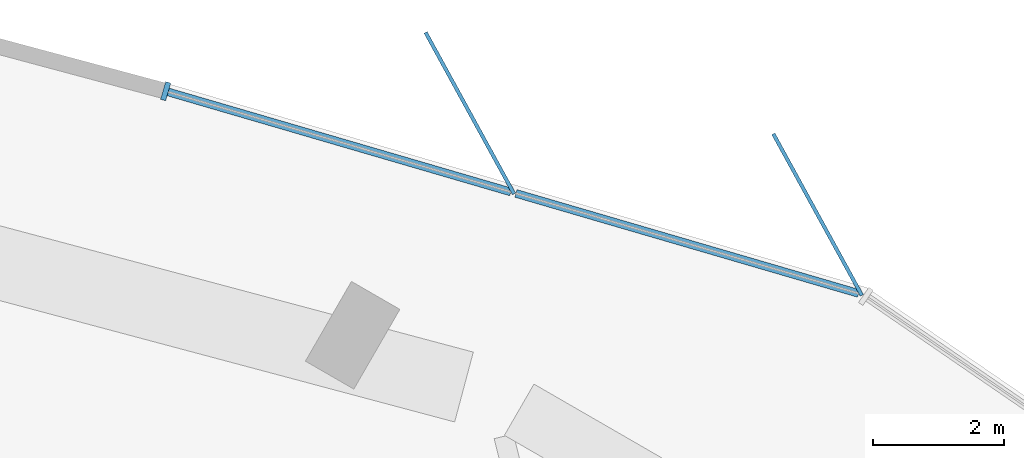
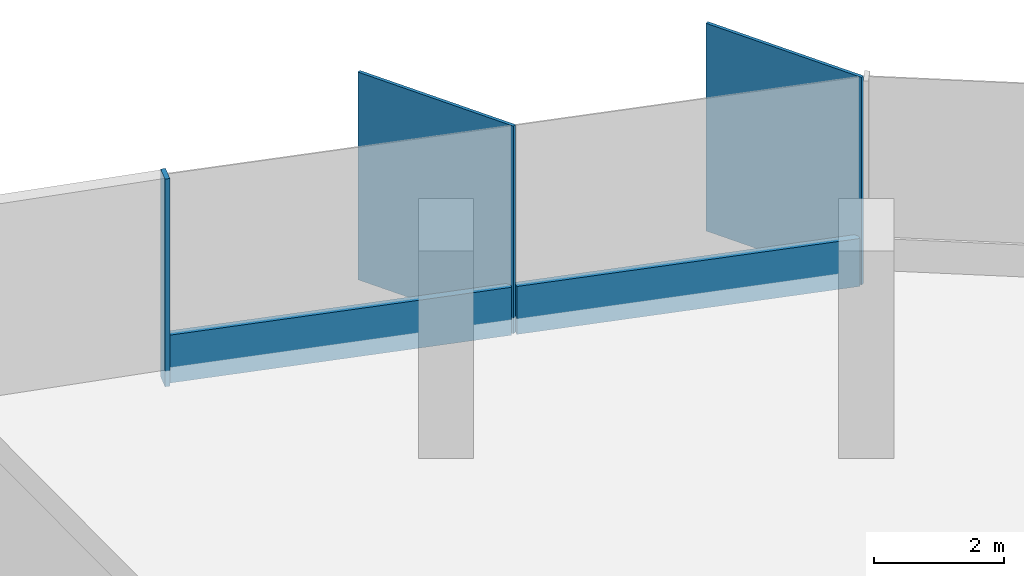
# One storey, part 6 of 14: 5 members, 1 element without a shape of its own.
"""IFC4 building model written with IfcOpenShell, lengths in metres."""

from ifc_helpers import new_model, si_unit, direction, frame, origin, origin_2d, place, context, subcontext, project, spatial, rectangle, extrude, material, material_profile, profile_set, type_object, element, aggregate, save


model = new_model("IFC4")

# Units and contexts
model_context = context("Model", 3, precision=1e-05, world=origin(), true_north=direction((0.0, 1.0)))
body_context = subcontext(model_context, "Body", "Model", "MODEL_VIEW")
ifc_project = project(units=[si_unit("LENGTHUNIT", "METRE"), si_unit("AREAUNIT", "SQUARE_METRE"), si_unit("VOLUMEUNIT", "CUBIC_METRE"), si_unit("PLANEANGLEUNIT", "RADIAN"), si_unit("MASSUNIT", "GRAM", prefix="KILO")], contexts=[model_context])

# Site, building, storey
site_placement = place(None, origin())
site = spatial("IfcSite", under=ifc_project, at=site_placement, CompositionType="ELEMENT")
building_placement = place(site_placement, origin())
building = spatial("IfcBuilding", under=site, at=building_placement, Name="Tanit Gate Tower", CompositionType="ELEMENT")
storey_placement = place(building_placement, frame((0.0, 0.0, 298.699951171875)))
storey = spatial("IfcBuildingStorey", under=building, at=storey_placement, Name="L66", CompositionType="ELEMENT", Elevation=298.699951171875)

# Curtain wall, members
ifc_material_1 = material(Name="Aluminium bronze anodised and glass", Category="aluminium")
curtain_wall_type = type_object("IfcCurtainWallType", Name="Curtain wall typical high", PredefinedType="NOTDEFINED", material=ifc_material_1)
curtain_wall_placement = place(storey_placement, origin())
curtain_wall = element("IfcCurtainWall", 1, at=curtain_wall_placement, inside=storey, type_object=curtain_wall_type, Name="Curtain wall L66 NE3", PredefinedType="NOTDEFINED")
ifc_material_2 = material(Name="Aluminium bronze anodised", Category="aluminium")
ifc_material_profile_1 = material_profile(ifc_material_2, rectangle(XDim=2.800048828125, YDim=0.055908203125, at=origin_2d()), Name="56x2800 bronze fin mullion")
ifc_profile_set_1 = profile_set([ifc_material_profile_1], Name="Aluminium bronze anodised")
member_type_1 = type_object("IfcMemberType", Name="FIN MULLION 56x2800 bronze", PredefinedType="MULLION", material=ifc_profile_set_1)
member_1_placement = place(storey_placement, frame((-2.101806640625, 31.19140625, -0.300048828125), z_axis=(0.0, 0.0, 1.0), x_axis=(0.480719064204, -0.87687466682, 0.0)))
member_1 = element("IfcMember", 2, at=member_1_placement, type_object=member_type_1, Name="Fin mullion L66 NE3.1", PredefinedType="MULLION", context=body_context, shape_type="SweptSolid", body=[
    extrude(rectangle(XDim=2.800048828125, YDim=0.055908203125, at=origin_2d()), origin(), (0.0, 0.0, 1.0), 3.900146484375),
])
member_2_placement = place(storey_placement, frame((-7.39208984375, 32.735107421875, -0.300048828125), z_axis=(0.0, 0.0, 1.0), x_axis=(0.480719064204, -0.87687466682, 0.0)))
member_2 = element("IfcMember", 3, at=member_2_placement, type_object=member_type_1, Name="Fin mullion L66 NE3.2", PredefinedType="MULLION", context=body_context, shape_type="SweptSolid", body=[
    extrude(rectangle(XDim=2.800048828125, YDim=0.055908203125, at=origin_2d()), origin(), (0.0, 0.0, 1.0), 3.900146484375),
])
ifc_material_3 = material(Name="Aluminium bronze anodised", Category="aluminium")
ifc_material_profile_2 = material_profile(ifc_material_3, rectangle(XDim=0.280029296875, YDim=0.080078125, at=origin_2d()), Name="80x280 bronze mullion")
ifc_profile_set_2 = profile_set([ifc_material_profile_2], Name="Aluminium bronze anodised")
member_type_2 = type_object("IfcMemberType", Name="Mullion 80x280 typical high", PredefinedType="MULLION", material=ifc_profile_set_2)
member_3_placement = place(storey_placement, frame((-12.01904296875, 33.068603515625, -0.300048828125), z_axis=(0.0, 0.0, 1.0), x_axis=(-0.280124313015, -0.959963733303, 0.0)))
member_3 = element("IfcMember", 4, at=member_3_placement, type_object=member_type_2, Name="Mullion L66 NE3.3", PredefinedType="MULLION", context=body_context, shape_type="SweptSolid", body=[
    extrude(rectangle(XDim=0.280029296875, YDim=0.080078125, at=origin_2d()), origin(), (0.0, 0.0, 1.0), 3.900146484375),
])
ifc_material_4 = material(Name="Aluminium bronze anodised", Category="aluminium")
ifc_material_profile_3 = material_profile(ifc_material_4, rectangle(XDim=0.1201171875, YDim=0.89990234375, at=origin_2d()), Name="120x900 bronze transom")
ifc_profile_set_3 = profile_set([ifc_material_profile_3], Name="Aluminium bronze anodised")
member_type_3 = type_object("IfcMemberType", Name="Transom 120x900 typical high", PredefinedType="USERDEFINED", material=ifc_profile_set_3)
member_4_placement = place(storey_placement, frame((-1.4765625, 29.9921875, 0.150146484375), z_axis=(-0.959961729217, 0.280131180768, 0.0), x_axis=(-0.280131180768, -0.959961729217, 0.0)))
member_4 = element("IfcMember", 5, at=member_4_placement, type_object=member_type_3, Name="Transom L66 NE3.1", ObjectType="TRANSOM", PredefinedType="USERDEFINED", context=body_context, shape_type="SweptSolid", body=[
    extrude(rectangle(XDim=0.1201171875, YDim=0.89990234375, at=origin_2d()), origin(), (0.0, 0.0, 1.0), 5.431396484375),
])
member_5_placement = place(storey_placement, frame((-6.76708984375, 31.5361328125, 0.150146484375), z_axis=(-0.959970289687, 0.280101843832, 0.0), x_axis=(-0.280101843832, -0.959970289687, 0.0)))
member_5 = element("IfcMember", 6, at=member_5_placement, type_object=member_type_3, Name="Transom L66 NE3.2", ObjectType="TRANSOM", PredefinedType="USERDEFINED", context=body_context, shape_type="SweptSolid", body=[
    extrude(rectangle(XDim=0.1201171875, YDim=0.89990234375, at=origin_2d()), origin(), (0.0, 0.0, 1.0), 5.430908203125),
])
aggregate(curtain_wall, [member_1, member_2, member_3, member_4, member_5])

save(model, "model.ifc")
